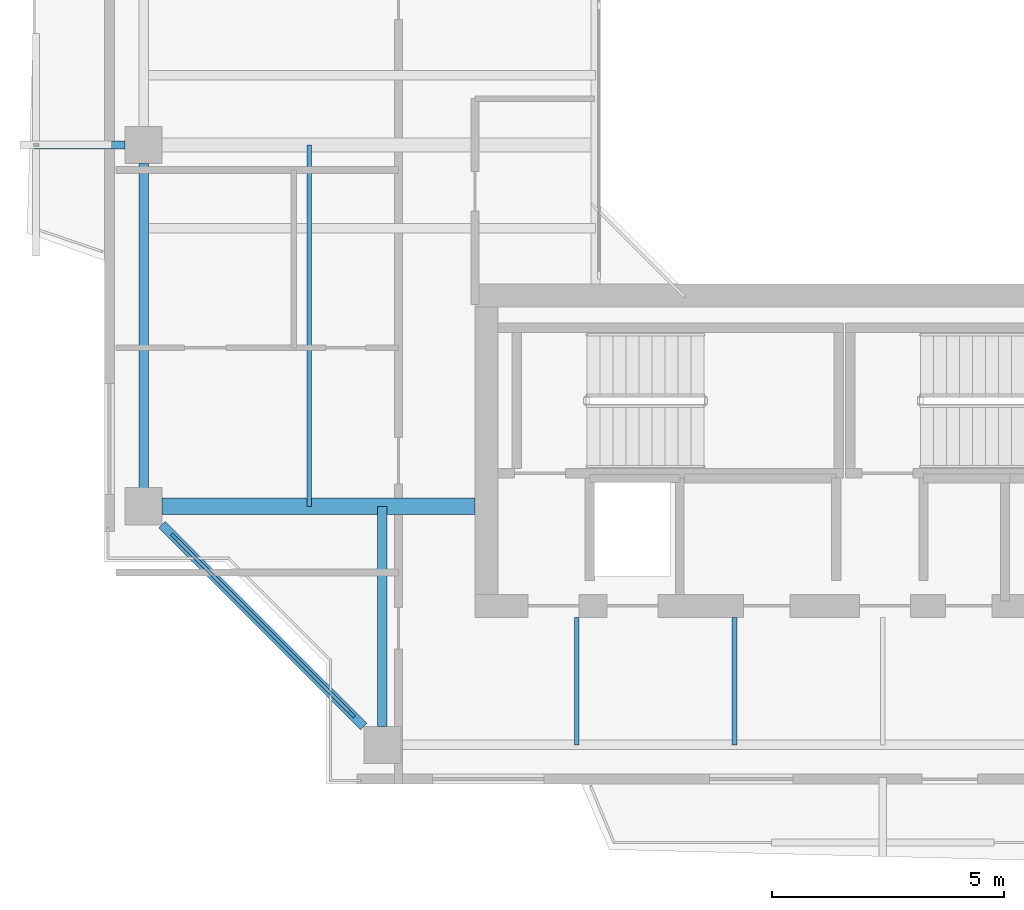
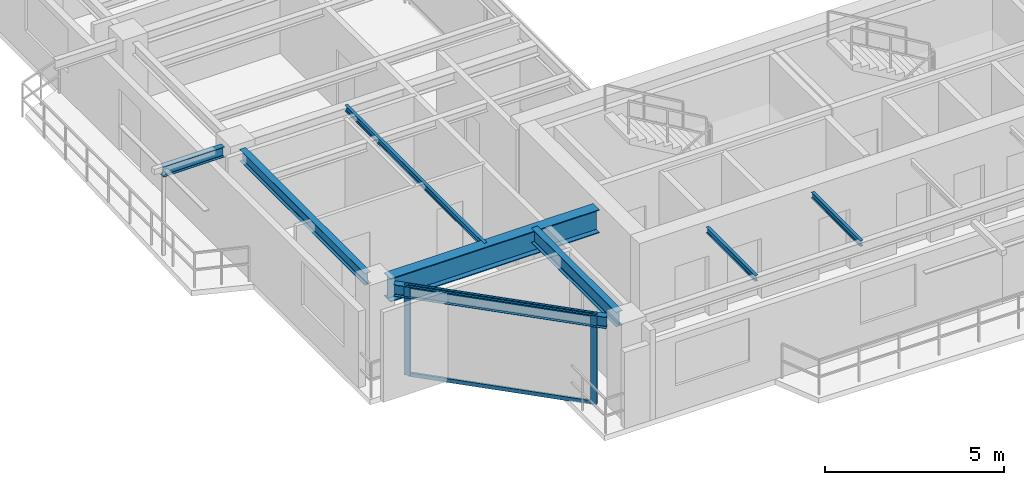
# One storey, part 2 of 16: 8 beams, 4 members, 1 element without a shape of its own.
"""IFC4 building model written with IfcOpenShell, lengths in metres."""

import ifcopenshell
import ifcopenshell.guid

model = None  # the IFC model being written
_history = None  # IfcOwnerHistory: only IFC2X3 demands one
_inside = {}  # id of a spatial element -> (the spatial element, [elements in it])
_under = {}  # id of a project, library or spatial element -> (it, [spatial elements below it])
_declared = {}  # id of a project -> (the project, [libraries it declares])
_typed = {}  # id of a type object -> (the type object, [elements of that type])
_made_of = {}  # id of a material, layer set ... -> (it, [elements and type objects made of it])


def new_model(schema):
    """Start an empty IFC model of exactly this schema.

    Asked for "IFC4X3", IfcOpenShell would pick the latest addendum, in which some entities
    have other attributes; the version numbers below select the first issue.
    IFC2X3 requires an IfcOwnerHistory on every rooted entity: one is made here for all.
    """
    global model, _history
    if schema == "IFC4X3":
        model = ifcopenshell.file(schema_version=(4, 3, 0, 0))
    else:
        model = ifcopenshell.file(schema=schema)
    _inside.clear()
    _under.clear()
    _declared.clear()
    _typed.clear()
    _made_of.clear()
    _history = None
    if model.schema == "IFC2X3":
        org = make("IfcOrganization", Name="unknown")
        user = make(
            "IfcPersonAndOrganization",
            ThePerson=make("IfcPerson", FamilyName="unknown"),
            TheOrganization=org,
        )
        app = make(
            "IfcApplication",
            ApplicationDeveloper=org,
            Version="unknown",
            ApplicationFullName="unknown",
            ApplicationIdentifier="unknown",
        )
        _history = make(
            "IfcOwnerHistory",
            OwningUser=user,
            OwningApplication=app,
            ChangeAction="ADDED",
            CreationDate=0,
        )
    return model


def make(cls, **values):
    """One entity of the class cls with the attributes given. An attribute that is None is left unset."""
    return model.create_entity(
        cls, **{name: value for name, value in values.items() if value is not None}
    )


def rooted(cls, **values):
    """An entity with a GlobalId (a new one), such as an element, a storey or a relation."""
    return make(cls, GlobalId=ifcopenshell.guid.new(), OwnerHistory=_history, **values)


def si_unit(unit_type, name, prefix=None):
    """IfcSIUnit, for example si_unit("LENGTHUNIT", "METRE", prefix="MILLI")."""
    return make("IfcSIUnit", UnitType=unit_type, Prefix=prefix, Name=name)


def assignment(units):
    """IfcUnitAssignment: the units of a project."""
    return None if units is None else make("IfcUnitAssignment", Units=units)


def point(xyz):
    """IfcCartesianPoint."""
    return None if xyz is None else make("IfcCartesianPoint", Coordinates=xyz)


def direction(xyz):
    """IfcDirection."""
    return None if xyz is None else make("IfcDirection", DirectionRatios=xyz)


def frame(location, z_axis=None, x_axis=None):
    """IfcAxis2Placement3D, a coordinate frame: its origin and axes. An axis left out is left unset."""
    return make(
        "IfcAxis2Placement3D",
        Location=point(location),
        Axis=direction(z_axis),
        RefDirection=direction(x_axis),
    )


def frame_2d(location, x_axis=None):
    """IfcAxis2Placement2D, a coordinate frame in the plane: its origin and x axis."""
    return make(
        "IfcAxis2Placement2D", Location=point(location), RefDirection=direction(x_axis)
    )


def origin():
    """The frame at (0, 0, 0) with its axes left unset."""
    return frame((0.0, 0.0, 0.0))


def origin_2d():
    """The frame at (0, 0) in the plane with its x axis left unset."""
    return frame_2d((0.0, 0.0))


def place(relative_to, where):
    """IfcLocalPlacement: puts the frame where relative to a parent placement (None: the world)."""
    return make(
        "IfcLocalPlacement", PlacementRelTo=relative_to, RelativePlacement=where
    )


def context(
    kind, dimensions, precision=None, world=None, true_north=None, identifier=None
):
    """IfcGeometricRepresentationContext, for example the 3D "Model" context."""
    return make(
        "IfcGeometricRepresentationContext",
        ContextIdentifier=identifier,
        ContextType=kind,
        CoordinateSpaceDimension=dimensions,
        Precision=precision,
        WorldCoordinateSystem=world,
        TrueNorth=true_north,
    )


def subcontext(parent, identifier, kind, view, scale=None):
    """IfcGeometricRepresentationSubContext, for example "Body" below "Model"."""
    return make(
        "IfcGeometricRepresentationSubContext",
        ContextIdentifier=identifier,
        ContextType=kind,
        ParentContext=parent,
        TargetScale=scale,
        TargetView=view,
    )


def project(units=None, contexts=None):
    """IfcProject with its units and contexts."""
    return rooted(
        "IfcProject",
        Name="project",
        RepresentationContexts=contexts,
        UnitsInContext=assignment(units),
    )


def spatial(cls, under=None, at=None, **own):
    """A site, building, storey or space (cls), placed at a placement, below another one or the project."""
    s = rooted(cls, ObjectPlacement=at, **own)
    if under is not None:
        _under.setdefault(under.id(), (under, []))[1].append(s)
    return s


def profile(cls, at=None, kind="AREA", **sizes):
    """A parametric profile (cls). Its sizes go by their IFC names, for example OverallWidth=200.0."""
    return make(cls, ProfileType=kind, Position=at, **sizes)


def rectangle(**sizes):
    """IfcRectangleProfileDef."""
    return profile("IfcRectangleProfileDef", **sizes)


def i_section(**sizes):
    """IfcIShapeProfileDef."""
    return profile("IfcIShapeProfileDef", **sizes)


def extrude(swept, where, along, depth):
    """IfcExtrudedAreaSolid: the profile swept, set in the frame where, extruded along a direction by depth."""
    return make(
        "IfcExtrudedAreaSolid",
        SweptArea=swept,
        Position=where,
        ExtrudedDirection=direction(along),
        Depth=depth,
    )


def shape(context_of_items, identifier, shape_type, items):
    """IfcShapeRepresentation: the items that make up one representation, for example the "Body"."""
    return make(
        "IfcShapeRepresentation",
        ContextOfItems=context_of_items,
        RepresentationIdentifier=identifier,
        RepresentationType=shape_type,
        Items=items,
    )


def source(mapping_origin, context_of_items, identifier, shape_type, items):
    """IfcRepresentationMap: a shape defined once, which mapped items show again and again."""
    return make(
        "IfcRepresentationMap",
        MappingOrigin=mapping_origin,
        MappedRepresentation=shape(context_of_items, identifier, shape_type, items),
    )


def transform(
    local_origin,
    x_axis=None,
    y_axis=None,
    z_axis=None,
    scale=None,
    scale2=None,
    scale3=None,
    uniform=True,
):
    """IfcCartesianTransformationOperator3D, or its non-uniform kind. x_axis, y_axis, z_axis: its Axis1, 2, 3."""
    if uniform:
        return make(
            "IfcCartesianTransformationOperator3D",
            Axis1=direction(x_axis),
            Axis2=direction(y_axis),
            LocalOrigin=point(local_origin),
            Scale=scale,
            Axis3=direction(z_axis),
        )
    return make(
        "IfcCartesianTransformationOperator3DnonUniform",
        Axis1=direction(x_axis),
        Axis2=direction(y_axis),
        LocalOrigin=point(local_origin),
        Scale=scale,
        Axis3=direction(z_axis),
        Scale2=scale2,
        Scale3=scale3,
    )


def mapped(mapping_source, mapping_target):
    """IfcMappedItem: shows the shape of a source again, moved by a transform."""
    return make(
        "IfcMappedItem", MappingSource=mapping_source, MappingTarget=mapping_target
    )


def material(Name=None, Category=None):
    """IfcMaterial."""
    return make("IfcMaterial", Name=Name, Category=Category)


def layer(
    of_material, thickness, ventilated=None, Name=None, Category=None, Priority=None
):
    """IfcMaterialLayer: one layer of a wall or slab, of a material (None: an air gap)."""
    return make(
        "IfcMaterialLayer",
        Material=of_material,
        LayerThickness=thickness,
        IsVentilated=ventilated,
        Name=Name,
        Category=Category,
        Priority=Priority,
    )


def layer_set(layers, Name=None):
    """IfcMaterialLayerSet."""
    return make("IfcMaterialLayerSet", MaterialLayers=layers, LayerSetName=Name)


def material_profile(
    of_material, cross_section, Name=None, Category=None, Priority=None
):
    """IfcMaterialProfile: a cross section and its material."""
    return make(
        "IfcMaterialProfile",
        Name=Name,
        Material=of_material,
        Profile=cross_section,
        Priority=Priority,
        Category=Category,
    )


def profile_set(profiles, Name=None, composite=None):
    """IfcMaterialProfileSet."""
    return make(
        "IfcMaterialProfileSet",
        Name=Name,
        MaterialProfiles=profiles,
        CompositeProfile=composite,
    )


def made_of(thing, what):
    """Note that an element or type object is made of a material, layer set ...; save() writes the relation."""
    if what is not None:
        _made_of.setdefault(what.id(), (what, []))[1].append(thing)
    return thing


def type_object(cls, material=None, **own):
    """A type object (cls), such as IfcWallType, which elements share."""
    return made_of(rooted(cls, **own), material)


def element(
    cls,
    number,
    at=None,
    inside=None,
    cuts=None,
    type_object=None,
    material=None,
    context=None,
    identifier="Body",
    shape_type=None,
    held_by="IfcProductDefinitionShape",
    body=None,
    shapes=None,
    **own,
):
    """One element of the class cls, such as IfcWall. Its Tag is "e" and its number.

    at: its placement. inside: the storey or other place that contains it. cuts: it is an
    opening in that element (IfcRelVoidsElement). A single representation is given by context,
    identifier, shape_type and body (its items); several are given by shapes. held_by: the class
    of the entity that holds the representations. save() writes the other relations.
    """
    e = rooted(cls, Tag="e%d" % number, ObjectPlacement=at, **own)
    if body is not None:
        shapes = [shape(context, identifier, shape_type, body)]
    if shapes is not None:
        e.Representation = make(held_by, Representations=shapes)
    if inside is not None:
        _inside.setdefault(inside.id(), (inside, []))[1].append(e)
    if cuts is not None:
        rooted(
            "IfcRelVoidsElement", RelatingBuildingElement=cuts, RelatedOpeningElement=e
        )
    if type_object is not None:
        _typed.setdefault(type_object.id(), (type_object, []))[1].append(e)
    return made_of(e, material)


def aggregate(whole, parts):
    """IfcRelAggregates: a whole, such as a stair, and the parts it consists of."""
    return rooted("IfcRelAggregates", RelatingObject=whole, RelatedObjects=parts)


def save(model, path):
    """Write the relations noted so far, then the file.

    IfcRelAggregates (storeys below a building ...), IfcRelContainedInSpatialStructure (elements
    in a storey), IfcRelDefinesByType, IfcRelAssociatesMaterial and IfcRelDeclares: one each for
    every whole, place, type object, material and project.
    """
    for whole, parts in _under.values():
        aggregate(whole, parts)
    for where, things in _inside.values():
        rooted(
            "IfcRelContainedInSpatialStructure",
            RelatedElements=things,
            RelatingStructure=where,
        )
    for kind, things in _typed.values():
        rooted("IfcRelDefinesByType", RelatedObjects=things, RelatingType=kind)
    for what, things in _made_of.values():
        rooted("IfcRelAssociatesMaterial", RelatedObjects=things, RelatingMaterial=what)
    for by, libraries in _declared.values():
        rooted("IfcRelDeclares", RelatingContext=by, RelatedDefinitions=libraries)
    model.write(path)


model = new_model("IFC4")

# Units and contexts
model_context = context("Model", 3, precision=1e-05, world=origin(), true_north=direction((0.0, 1.0)))
body_context = subcontext(model_context, "Body", "Model", "MODEL_VIEW")
ifc_project = project(units=[si_unit("LENGTHUNIT", "METRE"), si_unit("AREAUNIT", "SQUARE_METRE"), si_unit("VOLUMEUNIT", "CUBIC_METRE"), si_unit("PLANEANGLEUNIT", "RADIAN"), si_unit("MASSUNIT", "GRAM", prefix="KILO"), si_unit("THERMODYNAMICTEMPERATUREUNIT", "KELVIN"), si_unit("POWERUNIT", "WATT")], contexts=[model_context])

# Site, building, storey
site_placement = place(None, origin())
site = spatial("IfcSite", under=ifc_project, at=site_placement, CompositionType="ELEMENT")
building_placement = place(site_placement, origin())
building = spatial("IfcBuilding", under=site, at=building_placement, Name="Qiaomeng Ring Towers", CompositionType="ELEMENT")
storey_placement = place(building_placement, frame((0.0, 0.0, 203.5)))
storey = spatial("IfcBuildingStorey", under=building, at=storey_placement, Name="L59", CompositionType="ELEMENT", Elevation=203.5)

# Beams
ifc_material_1 = material(Name="Steel Q355B", Category="steel")
ifc_material_profile_1 = material_profile(ifc_material_1, i_section(OverallWidth=0.198974609375, OverallDepth=0.39599609375, WebThickness=0.007080078125, FlangeThickness=0.010986328125, FilletRadius=0.01611328125, at=origin_2d()), Name="HN 396x199x7x11")
ifc_profile_set_1 = profile_set([ifc_material_profile_1], Name="Steel Q355B")
beam_type_1 = type_object("IfcBeamType", Name="STR-BM-HN396", PredefinedType="SPANDREL", material=ifc_profile_set_1)
shared_shape_1 = source(origin(), body_context, "Body", "SweptSolid", [
    extrude(i_section(OverallWidth=0.198974609375, OverallDepth=0.39599609375, WebThickness=0.007080078125, FlangeThickness=0.010986328125, FilletRadius=0.01611328125, at=origin_2d()), origin(), (0.0, 0.0, 1.0), 6.154052734375),
])
beam_1_placement = place(storey_placement, frame((3.44921875, 11.80078125, 2.8720703125), z_axis=(0.707106781187, -0.707106781187, 0.0), x_axis=(0.707106781187, 0.707106781187, 0.0)))
element("IfcBeam", 1, at=beam_1_placement, inside=storey, type_object=beam_type_1, Name="L59 beam STR-SP-L59-T1-W1-S1", PredefinedType="SPANDREL", context=body_context, shape_type="MappedRepresentation", body=[
    mapped(shared_shape_1, transform((0.0, 0.0, 0.0), x_axis=(1.0, 0.0, 0.0), y_axis=(0.0, 1.0, 0.0), z_axis=(0.0, 0.0, 1.0), scale=1.0)),
])
shared_shape_2 = source(origin(), body_context, "Body", "SweptSolid", [
    extrude(i_section(OverallWidth=0.198974609375, OverallDepth=0.39599609375, WebThickness=0.007080078125, FlangeThickness=0.010986328125, FilletRadius=0.01611328125, at=origin_2d()), origin(), (0.0, 0.0, 1.0), 7.001953125),
])
beam_2_placement = place(storey_placement, frame((3.050048828125, 19.60107421875, 2.8720703125), z_axis=(0.0, -1.0, 0.0), x_axis=(1.0, 0.0, 0.0)))
element("IfcBeam", 2, at=beam_2_placement, inside=storey, type_object=beam_type_1, Name="L59 beam STR-SP-L59-T1-W2-W1", PredefinedType="SPANDREL", context=body_context, shape_type="MappedRepresentation", body=[
    mapped(shared_shape_2, transform((0.0, 0.0, 0.0), x_axis=(1.0, 0.0, 0.0), y_axis=(0.0, 1.0, 0.0), z_axis=(0.0, 0.0, 1.0), scale=1.0)),
])
ifc_material_2 = material(Name="Steel Q390GJC", Category="steel")
ifc_material_profile_2 = material_profile(ifc_material_2, i_section(OverallWidth=0.35009765625, OverallDepth=0.800048828125, WebThickness=0.01611328125, FlangeThickness=0.028076171875, at=origin_2d()), Name="WH 800x350x16x28")
ifc_profile_set_2 = profile_set([ifc_material_profile_2], Name="Steel Q390GJC")
beam_type_2 = type_object("IfcBeamType", Name="STR-BM-WH800", PredefinedType="BEAM", material=ifc_profile_set_2)
shared_shape_3 = source(origin(), body_context, "Body", "SweptSolid", [
    extrude(i_section(OverallWidth=0.35009765625, OverallDepth=0.800048828125, WebThickness=0.01611328125, FlangeThickness=0.028076171875, at=origin_2d()), origin(), (0.0, 0.0, 1.0), 6.7509765625),
])
beam_3_placement = place(storey_placement, frame((3.448974609375, 12.199951171875, 2.669921875), z_axis=(1.0, 0.0, 0.0), x_axis=(0.0, 1.0, 0.0)))
element("IfcBeam", 3, at=beam_3_placement, inside=storey, type_object=beam_type_2, Name="L59 beam STR-BM-L59-T1-RAD-W1", PredefinedType="BEAM", context=body_context, shape_type="MappedRepresentation", body=[
    mapped(shared_shape_3, transform((0.0, 0.0, 0.0), x_axis=(1.0, 0.0, 0.0), y_axis=(0.0, 1.0, 0.0), z_axis=(0.0, 0.0, 1.0), scale=1.0)),
])
ifc_material_profile_3 = material_profile(ifc_material_1, i_section(OverallWidth=0.199951171875, OverallDepth=0.5, WebThickness=0.010009765625, FlangeThickness=0.01611328125, FilletRadius=0.02001953125, at=origin_2d()), Name="HN 500x200x10x16")
ifc_profile_set_3 = profile_set([ifc_material_profile_3], Name="Steel Q355B")
beam_type_3 = type_object("IfcBeamType", Name="STR-BM-HN500", PredefinedType="BEAM", material=ifc_profile_set_3)
shared_shape_4 = source(origin(), body_context, "Body", "SweptSolid", [
    extrude(i_section(OverallWidth=0.199951171875, OverallDepth=0.5, WebThickness=0.010009765625, FlangeThickness=0.01611328125, FilletRadius=0.02001953125, at=origin_2d()), origin(), (0.0, 0.0, 1.0), 4.7509765625),
])
beam_4_placement = place(storey_placement, frame((8.199951171875, 7.448974609375, 2.820068359375), z_axis=(0.0, 1.0, 0.0), x_axis=(-1.0, 0.0, 0.0)))
element("IfcBeam", 4, at=beam_4_placement, inside=storey, type_object=beam_type_3, Name="L59 beam STR-BM-L59-T1-RAD-S1", PredefinedType="BEAM", context=body_context, shape_type="MappedRepresentation", body=[
    mapped(shared_shape_4, transform((0.0, 0.0, 0.0), x_axis=(1.0, 0.0, 0.0), y_axis=(0.0, 1.0, 0.0), z_axis=(0.0, 0.0, 1.0), scale=1.0)),
])
ifc_material_profile_4 = material_profile(ifc_material_1, i_section(OverallWidth=0.175048828125, OverallDepth=0.35009765625, WebThickness=0.007080078125, FlangeThickness=0.010986328125, FilletRadius=0.013916015625, at=origin_2d()), Name="HN 350x175x7x11")
ifc_profile_set_4 = profile_set([ifc_material_profile_4], Name="Steel Q355B")
beam_type_4 = type_object("IfcBeamType", Name="STR-BM-HN350", PredefinedType="JOIST", material=ifc_profile_set_4)
shared_shape_5 = source(origin(), body_context, "Body", "SweptSolid", [
    extrude(i_section(OverallWidth=0.175048828125, OverallDepth=0.35009765625, WebThickness=0.007080078125, FlangeThickness=0.010986328125, FilletRadius=0.013916015625, at=origin_2d()), origin(), (0.0, 0.0, 1.0), 1.970947265625),
])
beam_5_placement = place(storey_placement, frame((0.679931640625, 20.0, 2.89501953125), z_axis=(1.0, 0.0, 0.0), x_axis=(0.0, 1.0, 0.0)))
element("IfcBeam", 5, at=beam_5_placement, inside=storey, type_object=beam_type_4, Name="L59 beam STR-BALBM-L59-W2", PredefinedType="JOIST", context=body_context, shape_type="MappedRepresentation", body=[
    mapped(shared_shape_5, transform((0.0, 0.0, 0.0), x_axis=(1.0, 0.0, 0.0), y_axis=(0.0, 1.0, 0.0), z_axis=(0.0, 0.0, 1.0), scale=1.0)),
])
ifc_material_profile_5 = material_profile(ifc_material_1, i_section(OverallWidth=0.10009765625, OverallDepth=0.199951171875, WebThickness=0.005615234375, FlangeThickness=0.008056640625, FilletRadius=0.010986328125, at=origin_2d()), Name="HN 200x100x5.5x8")
ifc_profile_set_5 = profile_set([ifc_material_profile_5], Name="Steel Q355B")
beam_type_5 = type_object("IfcBeamType", Name="STR-BM-HN200", PredefinedType="JOIST", material=ifc_profile_set_5)
shared_shape_6 = source(origin(), body_context, "Body", "SweptSolid", [
    extrude(i_section(OverallWidth=0.10009765625, OverallDepth=0.199951171875, WebThickness=0.005615234375, FlangeThickness=0.008056640625, FilletRadius=0.010986328125, at=origin_2d()), origin(), (0.0, 0.0, 1.0), 2.75),
])
for number, where, z_axis, x_axis, name in (
    (6, (12.39990234375, 7.050048828125, 2.969970703125), (0.0, 1.0, 0.0), (-1.0, 0.0, 0.0), "L59 beam STR-JST-L59-T1S-1"),
    (7, (15.800048828125, 7.050048828125, 2.969970703125), (0.0, 1.0, 0.0), (-1.0, 0.0, 0.0), "L59 beam STR-JST-L59-T1S-2"),
):
    element("IfcBeam", number, at=place(storey_placement, frame(where, z_axis=z_axis, x_axis=x_axis)), inside=storey, type_object=beam_type_5, Name=name, PredefinedType="JOIST", context=body_context, shape_type="MappedRepresentation", body=[
        mapped(shared_shape_6, transform((0.0, 0.0, 0.0), x_axis=(1.0, 0.0, 0.0), y_axis=(0.0, 1.0, 0.0), z_axis=(0.0, 0.0, 1.0), scale=1.0)),
    ])
shared_shape_7 = source(origin(), body_context, "Body", "SweptSolid", [
    extrude(i_section(OverallWidth=0.10009765625, OverallDepth=0.199951171875, WebThickness=0.005615234375, FlangeThickness=0.008056640625, FilletRadius=0.010986328125, at=origin_2d()), origin(), (0.0, 0.0, 1.0), 7.800048828125),
])
beam_6_placement = place(storey_placement, frame((6.625, 12.199951171875, 2.969970703125), z_axis=(0.0, 1.0, 0.0), x_axis=(-1.0, 0.0, 0.0)))
element("IfcBeam", 8, at=beam_6_placement, inside=storey, type_object=beam_type_5, Name="L59 beam STR-JST-L59-T1C-WS", PredefinedType="JOIST", context=body_context, shape_type="MappedRepresentation", body=[
    mapped(shared_shape_7, transform((0.0, 0.0, 0.0), x_axis=(1.0, 0.0, 0.0), y_axis=(0.0, 1.0, 0.0), z_axis=(0.0, 0.0, 1.0), scale=1.0)),
])

# Curtain wall, members
ifc_material_3 = material(Name="Fluorocarbon dark-grey aluminium", Category="aluminium")
ifc_layer = layer(ifc_material_3, 0.14990234375, Name="Fluorocarbon dark-grey aluminium")
ifc_layer_set = layer_set([ifc_layer], Name="Fluorocarbon dark-grey aluminium")
curtain_wall_type = type_object("IfcCurtainWallType", Name="ARC-CW-3", PredefinedType="NOTDEFINED", material=ifc_layer_set)
curtain_wall_placement = place(storey_placement, origin())
curtain_wall = element("IfcCurtainWall", 9, at=curtain_wall_placement, inside=storey, type_object=curtain_wall_type, Name="L59 Curtain Wall CW3", PredefinedType="NOTDEFINED")
ifc_material_profile_6 = material_profile(ifc_material_3, rectangle(XDim=0.070068359375, YDim=0.179931640625, at=origin_2d()), Name="ALU MULL 70x180")
ifc_profile_set_6 = profile_set([ifc_material_profile_6], Name="Fluorocarbon dark-grey aluminium")
member_type_1 = type_object("IfcMemberType", Name="ARC-CWM-160", PredefinedType="MULLION", material=ifc_profile_set_6)
shared_shape_8 = source(origin(), body_context, "Body", "SweptSolid", [
    extrude(rectangle(XDim=0.070068359375, YDim=0.179931640625, at=origin_2d()), origin(), (0.0, 0.0, 1.0), 3.070068359375),
])
member_1_placement = place(storey_placement, frame((3.71484375, 11.53515625, 0.0), z_axis=(0.0, 0.0, 1.0), x_axis=(0.707106781187, 0.707106781187, 0.0)))
member_1 = element("IfcMember", 10, at=member_1_placement, type_object=member_type_1, Name="CW3 mullion 1", PredefinedType="MULLION", context=body_context, shape_type="MappedRepresentation", body=[
    mapped(shared_shape_8, transform((0.0, 0.0, 0.0), x_axis=(1.0, 0.0, 0.0), y_axis=(0.0, 1.0, 0.0), z_axis=(0.0, 0.0, 1.0), scale=1.0)),
])
member_2_placement = place(storey_placement, frame((7.53515625, 7.71484375, 0.0), z_axis=(0.0, 0.0, 1.0), x_axis=(0.707106781187, 0.707106781187, 0.0)))
member_2 = element("IfcMember", 11, at=member_2_placement, type_object=member_type_1, Name="CW3 mullion 2", PredefinedType="MULLION", context=body_context, shape_type="MappedRepresentation", body=[
    mapped(shared_shape_8, transform((0.0, 0.0, 0.0), x_axis=(1.0, 0.0, 0.0), y_axis=(0.0, 1.0, 0.0), z_axis=(0.0, 0.0, 1.0), scale=1.0)),
])
ifc_material_profile_7 = material_profile(ifc_material_3, rectangle(XDim=0.06494140625, YDim=0.1298828125, at=origin_2d()), Name="ALU TRAN 65x130")
ifc_profile_set_7 = profile_set([ifc_material_profile_7], Name="Fluorocarbon dark-grey aluminium")
member_type_2 = type_object("IfcMemberType", Name="ARC-CWT-120", PredefinedType="USERDEFINED", material=ifc_profile_set_7)
shared_shape_9 = source(origin(), body_context, "Body", "SweptSolid", [
    extrude(rectangle(XDim=0.06494140625, YDim=0.1298828125, at=origin_2d()), origin(), (0.0, 0.0, 1.0), 5.3330078125),
])
member_3_placement = place(storey_placement, frame((3.739501953125, 11.510498046875, 0.032470703125), z_axis=(0.707106781187, -0.707106781187, 0.0), x_axis=(0.707106781187, 0.707106781187, 0.0)))
member_3 = element("IfcMember", 12, at=member_3_placement, type_object=member_type_2, Name="CW3 transom 1.1", ObjectType="TRANSOM", PredefinedType="USERDEFINED", context=body_context, shape_type="MappedRepresentation", body=[
    mapped(shared_shape_9, transform((0.0, 0.0, 0.0), x_axis=(1.0, 0.0, 0.0), y_axis=(0.0, 1.0, 0.0), z_axis=(0.0, 0.0, 1.0), scale=1.0)),
])
member_4_placement = place(storey_placement, frame((3.739501953125, 11.510498046875, 3.03759765625), z_axis=(0.707106781187, -0.707106781187, 0.0), x_axis=(0.707106781187, 0.707106781187, 0.0)))
member_4 = element("IfcMember", 13, at=member_4_placement, type_object=member_type_2, Name="CW3 transom 1.2", ObjectType="TRANSOM", PredefinedType="USERDEFINED", context=body_context, shape_type="MappedRepresentation", body=[
    mapped(shared_shape_9, transform((0.0, 0.0, 0.0), x_axis=(1.0, 0.0, 0.0), y_axis=(0.0, 1.0, 0.0), z_axis=(0.0, 0.0, 1.0), scale=1.0)),
])
aggregate(curtain_wall, [member_1, member_2, member_3, member_4])

save(model, "model.ifc")
